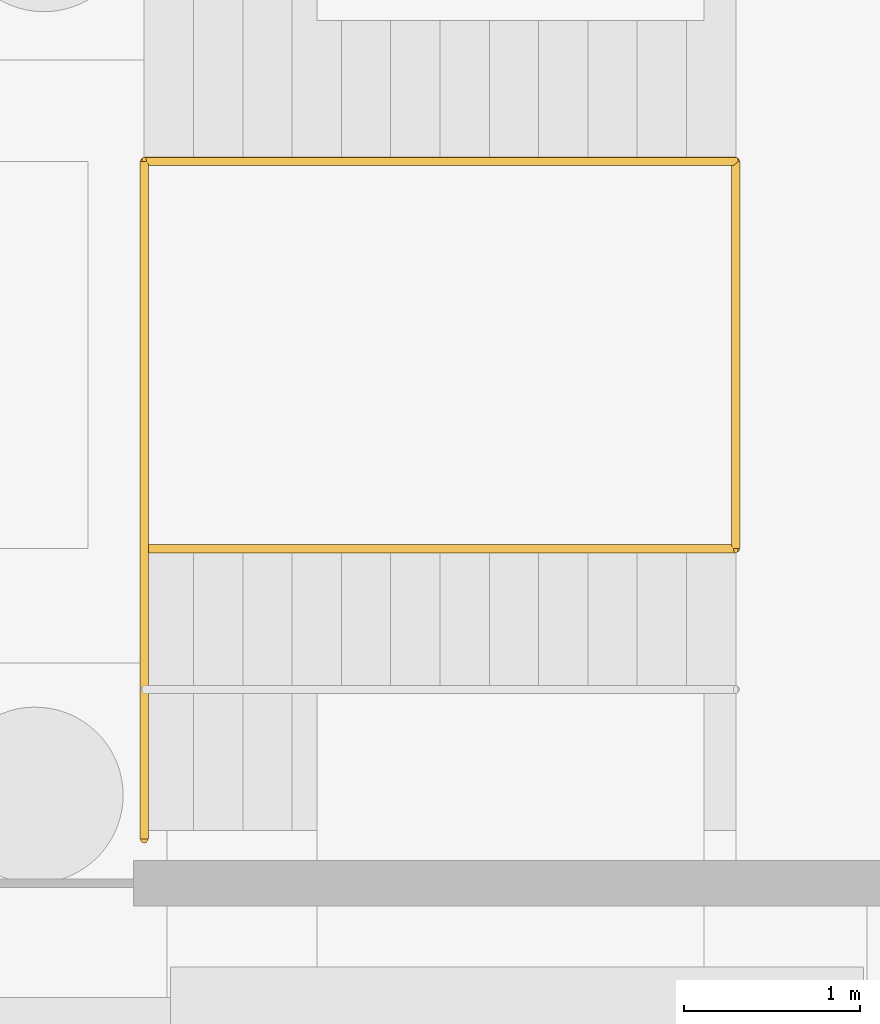
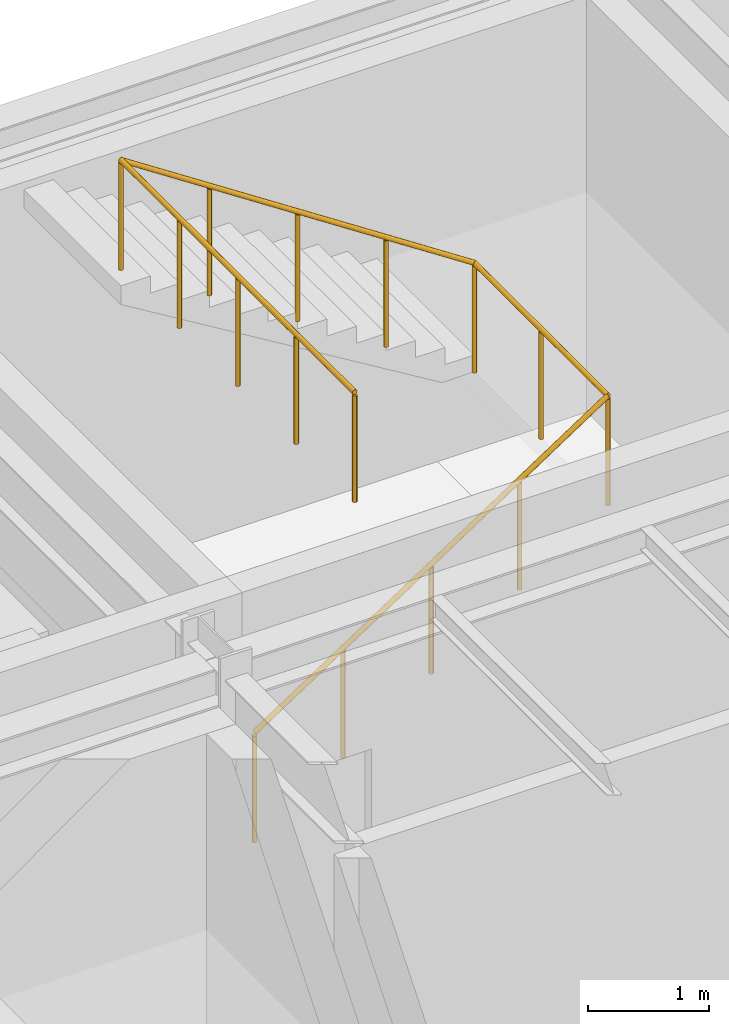
# One storey, part 32 of 33: 1 railing.
"""IFC4 building model written with IfcOpenShell, lengths in metres."""

from ifc_helpers import new_model, si_unit, direction, frame, origin, origin_2d, place, context, subcontext, project, spatial, circle, extrude, material, type_object, element, save


model = new_model("IFC4")

# Units and contexts
model_context = context("Model", 3, precision=1e-05, world=origin(), true_north=direction((0.0, 1.0)))
body_context = subcontext(model_context, "Body", "Model", "MODEL_VIEW")
ifc_project = project(units=[si_unit("LENGTHUNIT", "METRE"), si_unit("AREAUNIT", "SQUARE_METRE"), si_unit("VOLUMEUNIT", "CUBIC_METRE"), si_unit("PLANEANGLEUNIT", "RADIAN"), si_unit("MASSUNIT", "GRAM", prefix="KILO")], contexts=[model_context])

# Site, building, storey
site_placement = place(None, origin())
site = spatial("IfcSite", under=ifc_project, at=site_placement, CompositionType="ELEMENT")
building_placement = place(site_placement, origin())
building = spatial("IfcBuilding", under=site, at=building_placement, Name="Montecoro Central Library", CompositionType="ELEMENT")
storey_placement = place(building_placement, frame((0.0, 0.0, -4.419921875)))
storey = spatial("IfcBuildingStorey", under=building, at=storey_placement, Name="B1", CompositionType="ELEMENT", Elevation=-4.419921875)

# Railing
ifc_material = material(Name="Brushed stainless steel and bronze balustrade", Category="steel")
railing_type = type_object("IfcRailingType", Name="GRD-INT-110", PredefinedType="GUARDRAIL", material=ifc_material)
railing_placement = place(storey_placement, frame((150.919921875, 114.10009765625, 0.0)))
element("IfcRailing", 1, at=railing_placement, inside=storey, type_object=railing_type, Name="C6-B1-STR-GRD", PredefinedType="GUARDRAIL", context=body_context, shape_type="SweptSolid", body=[
    extrude(circle(Radius=0.02392578125, at=origin_2d()), frame((0.0, 0.0, 1.09619140625), z_axis=(0.835489692687, 0.0, 0.549506117722), x_axis=(0.0, 1.0, 0.0)), (0.0, 0.0, 1.0), 4.021728515625),
    extrude(circle(Radius=0.02392578125, at=origin_2d()), frame((3.360107421875, 0.0, 3.30615234375), z_axis=(0.0, 1.0, 0.0), x_axis=(-1.0, 0.0, 0.0)), (0.0, 0.0, 1.0), 2.199951171875),
    extrude(circle(Radius=0.02392578125, at=origin_2d()), frame((3.360107421875, 2.199951171875, 3.30615234375), z_axis=(-0.835489692687, 0.0, 0.549506117722), x_axis=(0.0, -1.0, 0.0)), (0.0, 0.0, 1.0), 4.021728515625),
    extrude(circle(Radius=0.02392578125, at=origin_2d()), frame((0.0, 2.199951171875, 5.51611328125), z_axis=(0.0, -1.0, 0.0), x_axis=(1.0, 0.0, 0.0)), (0.0, 0.0, 1.0), 3.85009765625),
    extrude(circle(Radius=0.02099609375, at=origin_2d()), origin(), (0.0, 0.0, 1.0), 1.072021484375),
    extrude(circle(Radius=0.02099609375, at=origin_2d()), frame((0.840087890625, 0.0, 0.552490234375)), (0.0, 0.0, 1.0), 1.072021484375),
    extrude(circle(Radius=0.02099609375, at=origin_2d()), frame((1.68017578125, 0.0, 1.10498046875)), (0.0, 0.0, 1.0), 1.072021484375),
    extrude(circle(Radius=0.02099609375, at=origin_2d()), frame((2.52001953125, 0.0, 1.657470703125)), (0.0, 0.0, 1.0), 1.072021484375),
    extrude(circle(Radius=0.02099609375, at=origin_2d()), frame((3.360107421875, 0.0, 2.2099609375)), (0.0, 0.0, 1.0), 1.072021484375),
    extrude(circle(Radius=0.02099609375, at=origin_2d()), frame((3.360107421875, 1.10009765625, 2.2099609375)), (0.0, 0.0, 1.0), 1.072021484375),
    extrude(circle(Radius=0.02099609375, at=origin_2d()), frame((3.360107421875, 2.199951171875, 2.2099609375)), (0.0, 0.0, 1.0), 1.072021484375),
    extrude(circle(Radius=0.02099609375, at=origin_2d()), frame((2.52001953125, 2.199951171875, 2.762451171875)), (0.0, 0.0, 1.0), 1.072021484375),
    extrude(circle(Radius=0.02099609375, at=origin_2d()), frame((1.68017578125, 2.199951171875, 3.31494140625)), (0.0, 0.0, 1.0), 1.072021484375),
    extrude(circle(Radius=0.02099609375, at=origin_2d()), frame((0.840087890625, 2.199951171875, 3.867431640625)), (0.0, 0.0, 1.0), 1.072021484375),
    extrude(circle(Radius=0.02099609375, at=origin_2d()), frame((0.0, 2.199951171875, 4.419921875)), (0.0, 0.0, 1.0), 1.072021484375),
    extrude(circle(Radius=0.02099609375, at=origin_2d()), frame((0.0, 1.2373046875, 4.419921875)), (0.0, 0.0, 1.0), 1.072021484375),
    extrude(circle(Radius=0.02099609375, at=origin_2d()), frame((0.0, 0.27490234375, 4.419921875)), (0.0, 0.0, 1.0), 1.072021484375),
    extrude(circle(Radius=0.02099609375, at=origin_2d()), frame((0.0, -0.6875, 4.419921875)), (0.0, 0.0, 1.0), 1.072021484375),
    extrude(circle(Radius=0.02099609375, at=origin_2d()), frame((0.0, -1.650146484375, 4.419921875)), (0.0, 0.0, 1.0), 1.072021484375),
])

save(model, "model.ifc")
